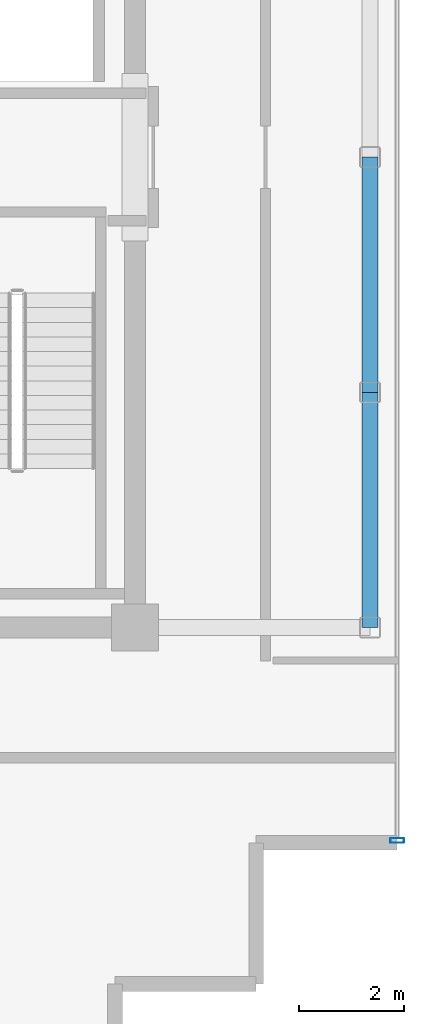
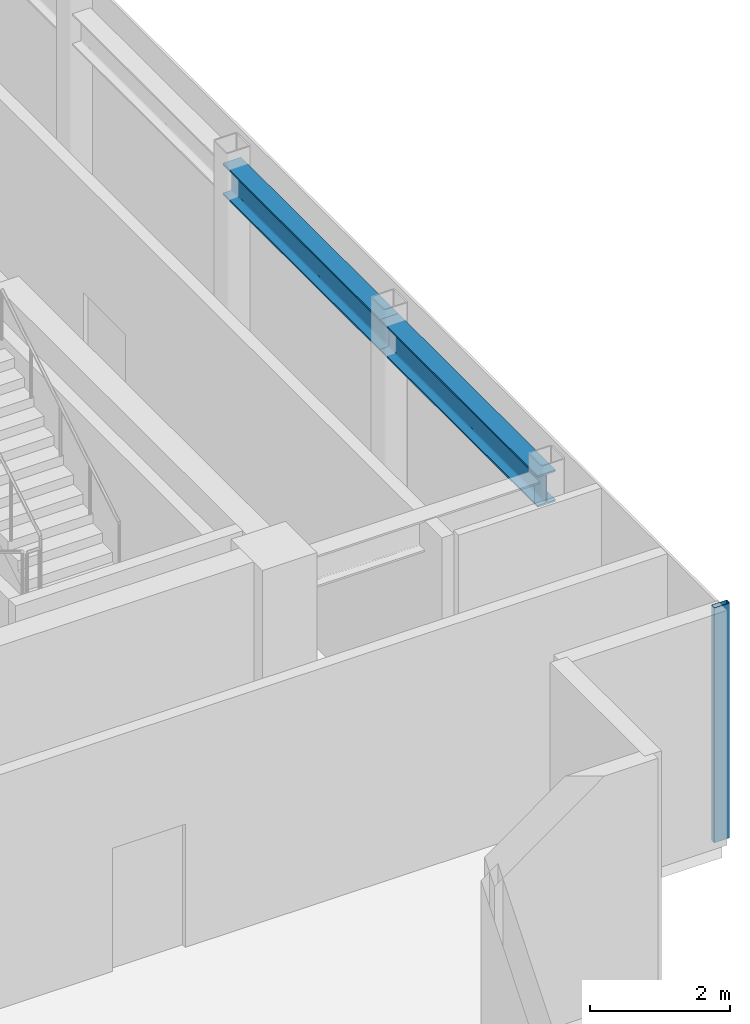
# One storey, part 7 of 14: 2 beams, 1 member, 1 element without a shape of its own.
"""IFC4 building model written with IfcOpenShell, lengths in metres."""

from ifc_helpers import new_model, si_unit, direction, frame, origin, origin_2d, place, context, subcontext, project, spatial, hollow_rectangle, i_section, extrude, source, transform, mapped, material, layer, layer_set, material_profile, profile_set, type_object, element, aggregate, save


model = new_model("IFC4")

# Units and contexts
model_context = context("Model", 3, precision=1e-05, world=origin(), true_north=direction((0.0, 1.0)))
body_context = subcontext(model_context, "Body", "Model", "MODEL_VIEW")
ifc_project = project(units=[si_unit("LENGTHUNIT", "METRE"), si_unit("AREAUNIT", "SQUARE_METRE"), si_unit("VOLUMEUNIT", "CUBIC_METRE"), si_unit("PLANEANGLEUNIT", "RADIAN"), si_unit("MASSUNIT", "GRAM", prefix="KILO")], contexts=[model_context])

# Site, building, storey
site_placement = place(None, origin())
site = spatial("IfcSite", under=ifc_project, at=site_placement, CompositionType="ELEMENT")
building_placement = place(site_placement, origin())
building = spatial("IfcBuilding", under=site, at=building_placement, Name="Nefas-Gora Pilgrimage Tower", CompositionType="ELEMENT")
storey_placement = place(building_placement, frame((0.0, 0.0, 363.0)))
storey = spatial("IfcBuildingStorey", under=building, at=storey_placement, Name="L91", CompositionType="ELEMENT", Elevation=363.0)

# Beams
ifc_material_1 = material(Name="Steel S355", Category="steel")
ifc_material_profile_1 = material_profile(ifc_material_1, i_section(OverallWidth=0.300048828125, OverallDepth=0.550048828125, WebThickness=0.014892578125, FlangeThickness=0.029052734375, FilletRadius=0.027099609375, at=origin_2d()), Name="HEB 550")
ifc_profile_set_1 = profile_set([ifc_material_profile_1], Name="Steel S355")
beam_type = type_object("IfcBeamType", Name="BM-SPN-HEB400", PredefinedType="SPANDREL", material=ifc_profile_set_1)
shared_shape_1 = source(origin(), body_context, "Body", "SweptSolid", [
    extrude(i_section(OverallWidth=0.300048828125, OverallDepth=0.550048828125, WebThickness=0.014892578125, FlangeThickness=0.029052734375, FilletRadius=0.027099609375, at=origin_2d()), origin(), (0.0, 0.0, 1.0), 4.5),
])
for number, where, z_axis, x_axis, name in (
    (1, (15.75, -9.0, 3.824951171875), (0.0, 1.0, 0.0), (-1.0, 0.0, 0.0), "L91 SP-04 beam"),
    (2, (15.75, -4.5, 3.824951171875), (0.0, 1.0, 0.0), (-1.0, 0.0, 0.0), "L91 SP-04 beam"),
):
    element("IfcBeam", number, at=place(storey_placement, frame(where, z_axis=z_axis, x_axis=x_axis)), inside=storey, type_object=beam_type, Name=name, PredefinedType="SPANDREL", context=body_context, shape_type="MappedRepresentation", body=[
        mapped(shared_shape_1, transform((0.0, 0.0, 0.0), x_axis=(1.0, 0.0, 0.0), y_axis=(0.0, 1.0, 0.0), z_axis=(0.0, 0.0, 1.0), scale=1.0)),
    ])

# Curtain wall, member
ifc_material_2 = material(Name="Dark ceramic-fritted solar-control aluminium-glass curtain wall", Category="aluminium")
ifc_layer = layer(ifc_material_2, 0.219970703125)
ifc_layer_set = layer_set([ifc_layer], Name="Dark ceramic-fritted solar-control aluminium-glass curtain wall")
curtain_wall_type = type_object("IfcCurtainWallType", Name="CW-SYS-6", PredefinedType="NOTDEFINED", material=ifc_layer_set)
curtain_wall_placement = place(storey_placement, origin())
curtain_wall = element("IfcCurtainWall", 3, at=curtain_wall_placement, inside=storey, type_object=curtain_wall_type, Name="L91 Unitised Curtain Wall CW6", PredefinedType="NOTDEFINED")
ifc_material_3 = material(Name="Anodised architectural aluminium", Category="aluminium")
ifc_material_profile_2 = material_profile(ifc_material_3, hollow_rectangle(XDim=0.090087890625, YDim=0.260009765625, WallThickness=0.006103515625, InnerFilletRadius=0.006103515625, OuterFilletRadius=0.011962890625, at=origin_2d()), Name="ALU MULLION 90x260")
ifc_profile_set_2 = profile_set([ifc_material_profile_2], Name="Anodised architectural aluminium")
member_type = type_object("IfcMemberType", Name="CWM-MUL-6", PredefinedType="MULLION", material=ifc_profile_set_2)
shared_shape_2 = source(origin(), body_context, "Body", "SweptSolid", [
    extrude(hollow_rectangle(XDim=0.090087890625, YDim=0.260009765625, WallThickness=0.006103515625, InnerFilletRadius=0.006103515625, OuterFilletRadius=0.011962890625, at=origin_2d()), origin(), (0.0, 0.0, 1.0), 4.10009765625),
])
member_placement = place(storey_placement, frame((16.27001953125, -13.074951171875, 0.0), z_axis=(0.0, 0.0, 1.0), x_axis=(0.0, 1.0, 0.0)))
member = element("IfcMember", 4, at=member_placement, type_object=member_type, Name="CW6 Mullion 1", PredefinedType="MULLION", context=body_context, shape_type="MappedRepresentation", body=[
    mapped(shared_shape_2, transform((0.0, 0.0, 0.0), x_axis=(1.0, 0.0, 0.0), y_axis=(0.0, 1.0, 0.0), z_axis=(0.0, 0.0, 1.0), scale=1.0)),
])
aggregate(curtain_wall, [member])

save(model, "model.ifc")
